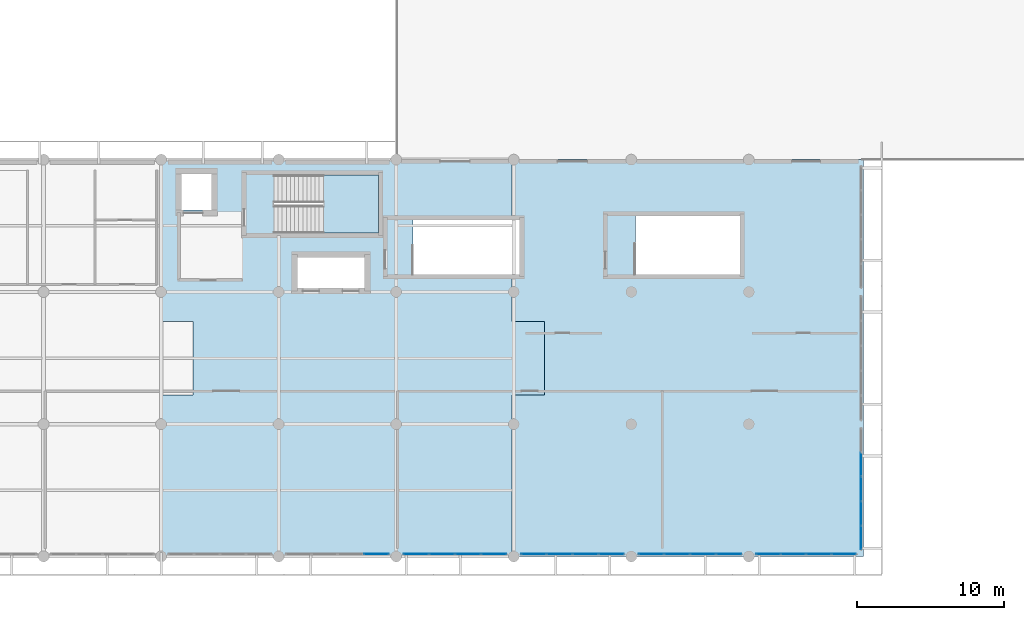
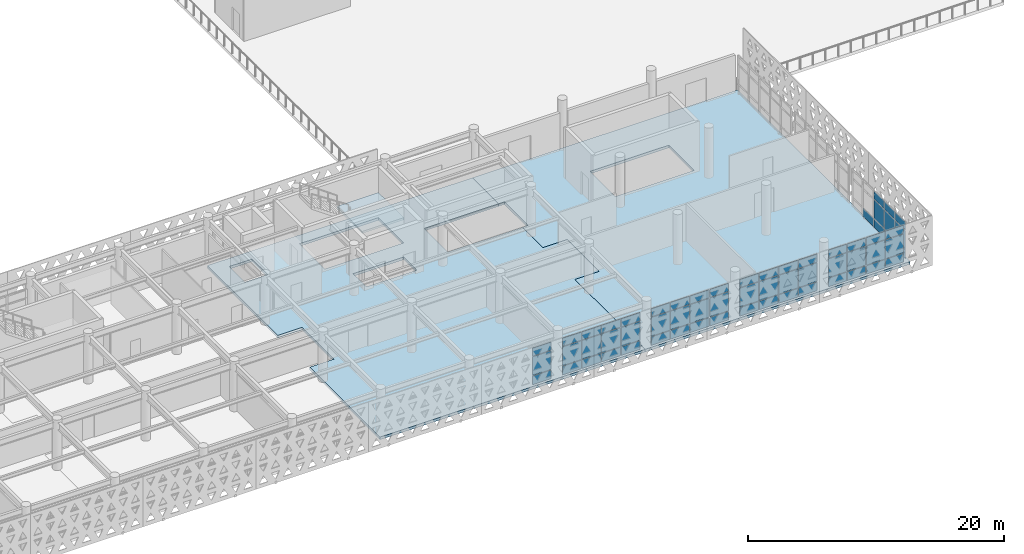
# One storey, part 19 of 33: 61 plates, 3 slabs, 7 elements without a shape of their own.
"""IFC4 building model written with IfcOpenShell, lengths in metres."""

from ifc_helpers import new_model, si_unit, direction, frame, origin, origin_2d, place, context, subcontext, project, spatial, polyline, rectangle, outline, extrude, material, layer, layer_set, type_object, element, aggregate, save


model = new_model("IFC4")

# Units and contexts
model_context = context("Model", 3, precision=1e-05, world=origin(), true_north=direction((0.0, 1.0)))
body_context = subcontext(model_context, "Body", "Model", "MODEL_VIEW")
ifc_project = project(units=[si_unit("LENGTHUNIT", "METRE"), si_unit("AREAUNIT", "SQUARE_METRE"), si_unit("VOLUMEUNIT", "CUBIC_METRE"), si_unit("PLANEANGLEUNIT", "RADIAN"), si_unit("MASSUNIT", "GRAM", prefix="KILO")], contexts=[model_context])

# Site, building, storey
site_placement = place(None, origin())
site = spatial("IfcSite", under=ifc_project, at=site_placement, CompositionType="ELEMENT")
building_placement = place(site_placement, origin())
building = spatial("IfcBuilding", under=site, at=building_placement, Name="Tlacozan Convention Centre", CompositionType="ELEMENT")
storey_placement = place(building_placement, frame((0.0, 0.0, 16.199951171875)))
storey = spatial("IfcBuildingStorey", under=building, at=storey_placement, Name="L03", CompositionType="ELEMENT", Elevation=16.199951171875)

# Curtain wall, plates
ifc_material_1 = material(Name="Dark Bronze Anodised Aluminium", Category="aluminium")
ifc_layer_1 = layer(ifc_material_1, 0.159912109375)
ifc_layer_set_1 = layer_set([ifc_layer_1], Name="Dark Bronze Anodised Aluminium")
curtain_wall_type_1 = type_object("IfcCurtainWallType", Name="Unitised Congress L03 South CW04", PredefinedType="NOTDEFINED", material=ifc_layer_set_1)
curtain_wall_1_placement = place(storey_placement, origin())
curtain_wall_1 = element("IfcCurtainWall", 1, at=curtain_wall_1_placement, inside=storey, type_object=curtain_wall_type_1, Name="L03 CW-04 Run 110", PredefinedType="NOTDEFINED")
ifc_material_2 = material(Name="Solar Control Double Low-E Argon Glazing", Category="glass")
ifc_layer_2 = layer(ifc_material_2, 0.02001953125)
ifc_layer_set_2 = layer_set([ifc_layer_2], Name="Solar Control Double Low-E Argon Glazing")
plate_type_1 = type_object("IfcPlateType", Name="Double Low-E Glazed CW Panel 20", PredefinedType="CURTAIN_PANEL", material=ifc_layer_set_2)
plate_1_placement = place(storey_placement, frame((86.646240234375, 0.159912109375, 0.06494140625), z_axis=(0.0, 0.0, 1.0), x_axis=(1.0, 0.0, 0.0)))
plate_1 = element("IfcPlate", 2, at=plate_1_placement, type_object=plate_type_1, Name="CW-04 panel 4.1", PredefinedType="CURTAIN_PANEL", context=body_context, shape_type="SweptSolid", body=[
    extrude(rectangle(XDim=1.677490234375, YDim=0.02001953125, at=origin_2d()), origin(), (0.0, 0.0, 1.0), 0.802490234375),
])
plate_2_placement = place(storey_placement, frame((86.646240234375, 0.159912109375, 0.9326171875), z_axis=(0.0, 0.0, 1.0), x_axis=(1.0, 0.0, 0.0)))
plate_2 = element("IfcPlate", 3, at=plate_2_placement, type_object=plate_type_1, Name="CW-04 panel 4.2", PredefinedType="CURTAIN_PANEL", context=body_context, shape_type="SweptSolid", body=[
    extrude(rectangle(XDim=1.677490234375, YDim=0.02001953125, at=origin_2d()), origin(), (0.0, 0.0, 1.0), 1.784912109375),
])
plate_3_placement = place(storey_placement, frame((86.646240234375, 0.159912109375, 2.782470703125), z_axis=(0.0, 0.0, 1.0), x_axis=(1.0, 0.0, 0.0)))
plate_3 = element("IfcPlate", 4, at=plate_3_placement, type_object=plate_type_1, Name="CW-04 panel 4.3", PredefinedType="CURTAIN_PANEL", context=body_context, shape_type="SweptSolid", body=[
    extrude(rectangle(XDim=1.677490234375, YDim=0.02001953125, at=origin_2d()), origin(), (0.0, 0.0, 1.0), 0.75244140625),
])
aggregate(curtain_wall_1, [plate_1, plate_2, plate_3])

curtain_wall_2_placement = place(storey_placement, origin())
curtain_wall_2 = element("IfcCurtainWall", 5, at=curtain_wall_2_placement, inside=storey, type_object=curtain_wall_type_1, Name="L03 CW-04 Run 112", PredefinedType="NOTDEFINED")
plate_4_placement = place(storey_placement, frame((97.353759765625, 0.159912109375, 0.06494140625), z_axis=(0.0, 0.0, 1.0), x_axis=(1.0, 0.0, 0.0)))
plate_4 = element("IfcPlate", 6, at=plate_4_placement, type_object=plate_type_1, Name="CW-04 panel 1.1", PredefinedType="CURTAIN_PANEL", context=body_context, shape_type="SweptSolid", body=[
    extrude(rectangle(XDim=1.677490234375, YDim=0.02001953125, at=origin_2d()), origin(), (0.0, 0.0, 1.0), 0.802490234375),
])
plate_5_placement = place(storey_placement, frame((97.353759765625, 0.159912109375, 0.9326171875), z_axis=(0.0, 0.0, 1.0), x_axis=(1.0, 0.0, 0.0)))
plate_5 = element("IfcPlate", 7, at=plate_5_placement, type_object=plate_type_1, Name="CW-04 panel 1.2", PredefinedType="CURTAIN_PANEL", context=body_context, shape_type="SweptSolid", body=[
    extrude(rectangle(XDim=1.677490234375, YDim=0.02001953125, at=origin_2d()), origin(), (0.0, 0.0, 1.0), 1.784912109375),
])
plate_6_placement = place(storey_placement, frame((97.353759765625, 0.159912109375, 2.782470703125), z_axis=(0.0, 0.0, 1.0), x_axis=(1.0, 0.0, 0.0)))
plate_6 = element("IfcPlate", 8, at=plate_6_placement, type_object=plate_type_1, Name="CW-04 panel 1.3", PredefinedType="CURTAIN_PANEL", context=body_context, shape_type="SweptSolid", body=[
    extrude(rectangle(XDim=1.677490234375, YDim=0.02001953125, at=origin_2d()), origin(), (0.0, 0.0, 1.0), 0.75244140625),
])
plate_7_placement = place(storey_placement, frame((99.112548828125, 0.159912109375, 0.06494140625), z_axis=(0.0, 0.0, 1.0), x_axis=(1.0, 0.0, 0.0)))
plate_7 = element("IfcPlate", 9, at=plate_7_placement, type_object=plate_type_1, Name="CW-04 panel 2.1", PredefinedType="CURTAIN_PANEL", context=body_context, shape_type="SweptSolid", body=[
    extrude(rectangle(XDim=1.7099609375, YDim=0.02001953125, at=origin_2d()), origin(), (0.0, 0.0, 1.0), 0.802490234375),
])
plate_8_placement = place(storey_placement, frame((99.112548828125, 0.159912109375, 0.9326171875), z_axis=(0.0, 0.0, 1.0), x_axis=(1.0, 0.0, 0.0)))
plate_8 = element("IfcPlate", 10, at=plate_8_placement, type_object=plate_type_1, Name="CW-04 panel 2.2", PredefinedType="CURTAIN_PANEL", context=body_context, shape_type="SweptSolid", body=[
    extrude(rectangle(XDim=1.7099609375, YDim=0.02001953125, at=origin_2d()), origin(), (0.0, 0.0, 1.0), 1.784912109375),
])
plate_9_placement = place(storey_placement, frame((99.112548828125, 0.159912109375, 2.782470703125), z_axis=(0.0, 0.0, 1.0), x_axis=(1.0, 0.0, 0.0)))
plate_9 = element("IfcPlate", 11, at=plate_9_placement, type_object=plate_type_1, Name="CW-04 panel 2.3", PredefinedType="CURTAIN_PANEL", context=body_context, shape_type="SweptSolid", body=[
    extrude(rectangle(XDim=1.7099609375, YDim=0.02001953125, at=origin_2d()), origin(), (0.0, 0.0, 1.0), 0.75244140625),
])
plate_10_placement = place(storey_placement, frame((100.887451171875, 0.159912109375, 0.06494140625), z_axis=(0.0, 0.0, 1.0), x_axis=(1.0, 0.0, 0.0)))
plate_10 = element("IfcPlate", 12, at=plate_10_placement, type_object=plate_type_1, Name="CW-04 panel 3.1", PredefinedType="CURTAIN_PANEL", context=body_context, shape_type="SweptSolid", body=[
    extrude(rectangle(XDim=1.7099609375, YDim=0.02001953125, at=origin_2d()), origin(), (0.0, 0.0, 1.0), 0.802490234375),
])
plate_11_placement = place(storey_placement, frame((100.887451171875, 0.159912109375, 0.9326171875), z_axis=(0.0, 0.0, 1.0), x_axis=(1.0, 0.0, 0.0)))
plate_11 = element("IfcPlate", 13, at=plate_11_placement, type_object=plate_type_1, Name="CW-04 panel 3.2", PredefinedType="CURTAIN_PANEL", context=body_context, shape_type="SweptSolid", body=[
    extrude(rectangle(XDim=1.7099609375, YDim=0.02001953125, at=origin_2d()), origin(), (0.0, 0.0, 1.0), 1.784912109375),
])
plate_12_placement = place(storey_placement, frame((100.887451171875, 0.159912109375, 2.782470703125), z_axis=(0.0, 0.0, 1.0), x_axis=(1.0, 0.0, 0.0)))
plate_12 = element("IfcPlate", 14, at=plate_12_placement, type_object=plate_type_1, Name="CW-04 panel 3.3", PredefinedType="CURTAIN_PANEL", context=body_context, shape_type="SweptSolid", body=[
    extrude(rectangle(XDim=1.7099609375, YDim=0.02001953125, at=origin_2d()), origin(), (0.0, 0.0, 1.0), 0.75244140625),
])
plate_13_placement = place(storey_placement, frame((102.646240234375, 0.159912109375, 0.06494140625), z_axis=(0.0, 0.0, 1.0), x_axis=(1.0, 0.0, 0.0)))
plate_13 = element("IfcPlate", 15, at=plate_13_placement, type_object=plate_type_1, Name="CW-04 panel 4.1", PredefinedType="CURTAIN_PANEL", context=body_context, shape_type="SweptSolid", body=[
    extrude(rectangle(XDim=1.677490234375, YDim=0.02001953125, at=origin_2d()), origin(), (0.0, 0.0, 1.0), 0.802490234375),
])
plate_14_placement = place(storey_placement, frame((102.646240234375, 0.159912109375, 0.9326171875), z_axis=(0.0, 0.0, 1.0), x_axis=(1.0, 0.0, 0.0)))
plate_14 = element("IfcPlate", 16, at=plate_14_placement, type_object=plate_type_1, Name="CW-04 panel 4.2", PredefinedType="CURTAIN_PANEL", context=body_context, shape_type="SweptSolid", body=[
    extrude(rectangle(XDim=1.677490234375, YDim=0.02001953125, at=origin_2d()), origin(), (0.0, 0.0, 1.0), 1.784912109375),
])
plate_15_placement = place(storey_placement, frame((102.646240234375, 0.159912109375, 2.782470703125), z_axis=(0.0, 0.0, 1.0), x_axis=(1.0, 0.0, 0.0)))
plate_15 = element("IfcPlate", 17, at=plate_15_placement, type_object=plate_type_1, Name="CW-04 panel 4.3", PredefinedType="CURTAIN_PANEL", context=body_context, shape_type="SweptSolid", body=[
    extrude(rectangle(XDim=1.677490234375, YDim=0.02001953125, at=origin_2d()), origin(), (0.0, 0.0, 1.0), 0.75244140625),
])
aggregate(curtain_wall_2, [plate_4, plate_5, plate_6, plate_7, plate_8, plate_9, plate_10, plate_11, plate_12, plate_13, plate_14, plate_15])

curtain_wall_3_placement = place(storey_placement, origin())
curtain_wall_3 = element("IfcCurtainWall", 18, at=curtain_wall_3_placement, inside=storey, type_object=curtain_wall_type_1, Name="L03 CW-04 Run 114", PredefinedType="NOTDEFINED")
plate_16_placement = place(storey_placement, frame((113.328857421875, 0.159912109375, 0.06494140625), z_axis=(0.0, 0.0, 1.0), x_axis=(1.0, 0.0, 0.0)))
plate_16 = element("IfcPlate", 19, at=plate_16_placement, type_object=plate_type_1, Name="CW-04 panel 1.1", PredefinedType="CURTAIN_PANEL", context=body_context, shape_type="SweptSolid", body=[
    extrude(rectangle(XDim=1.62744140625, YDim=0.02001953125, at=origin_2d()), origin(), (0.0, 0.0, 1.0), 0.802490234375),
])
plate_17_placement = place(storey_placement, frame((113.328857421875, 0.159912109375, 0.9326171875), z_axis=(0.0, 0.0, 1.0), x_axis=(1.0, 0.0, 0.0)))
plate_17 = element("IfcPlate", 20, at=plate_17_placement, type_object=plate_type_1, Name="CW-04 panel 1.2", PredefinedType="CURTAIN_PANEL", context=body_context, shape_type="SweptSolid", body=[
    extrude(rectangle(XDim=1.62744140625, YDim=0.02001953125, at=origin_2d()), origin(), (0.0, 0.0, 1.0), 1.784912109375),
])
plate_18_placement = place(storey_placement, frame((113.328857421875, 0.159912109375, 2.782470703125), z_axis=(0.0, 0.0, 1.0), x_axis=(1.0, 0.0, 0.0)))
plate_18 = element("IfcPlate", 21, at=plate_18_placement, type_object=plate_type_1, Name="CW-04 panel 1.3", PredefinedType="CURTAIN_PANEL", context=body_context, shape_type="SweptSolid", body=[
    extrude(rectangle(XDim=1.62744140625, YDim=0.02001953125, at=origin_2d()), origin(), (0.0, 0.0, 1.0), 0.75244140625),
])
plate_19_placement = place(storey_placement, frame((115.03759765625, 0.159912109375, 0.06494140625), z_axis=(0.0, 0.0, 1.0), x_axis=(1.0, 0.0, 0.0)))
plate_19 = element("IfcPlate", 22, at=plate_19_placement, type_object=plate_type_1, Name="CW-04 panel 2.1", PredefinedType="CURTAIN_PANEL", context=body_context, shape_type="SweptSolid", body=[
    extrude(rectangle(XDim=1.659912109375, YDim=0.02001953125, at=origin_2d()), origin(), (0.0, 0.0, 1.0), 0.802490234375),
])
plate_20_placement = place(storey_placement, frame((115.03759765625, 0.159912109375, 0.9326171875), z_axis=(0.0, 0.0, 1.0), x_axis=(1.0, 0.0, 0.0)))
plate_20 = element("IfcPlate", 23, at=plate_20_placement, type_object=plate_type_1, Name="CW-04 panel 2.2", PredefinedType="CURTAIN_PANEL", context=body_context, shape_type="SweptSolid", body=[
    extrude(rectangle(XDim=1.659912109375, YDim=0.02001953125, at=origin_2d()), origin(), (0.0, 0.0, 1.0), 1.784912109375),
])
plate_21_placement = place(storey_placement, frame((115.03759765625, 0.159912109375, 2.782470703125), z_axis=(0.0, 0.0, 1.0), x_axis=(1.0, 0.0, 0.0)))
plate_21 = element("IfcPlate", 24, at=plate_21_placement, type_object=plate_type_1, Name="CW-04 panel 2.3", PredefinedType="CURTAIN_PANEL", context=body_context, shape_type="SweptSolid", body=[
    extrude(rectangle(XDim=1.659912109375, YDim=0.02001953125, at=origin_2d()), origin(), (0.0, 0.0, 1.0), 0.75244140625),
])
plate_22_placement = place(storey_placement, frame((116.762451171875, 0.159912109375, 0.06494140625), z_axis=(0.0, 0.0, 1.0), x_axis=(1.0, 0.0, 0.0)))
plate_22 = element("IfcPlate", 25, at=plate_22_placement, type_object=plate_type_1, Name="CW-04 panel 3.1", PredefinedType="CURTAIN_PANEL", context=body_context, shape_type="SweptSolid", body=[
    extrude(rectangle(XDim=1.659912109375, YDim=0.02001953125, at=origin_2d()), origin(), (0.0, 0.0, 1.0), 0.802490234375),
])
plate_23_placement = place(storey_placement, frame((116.762451171875, 0.159912109375, 0.9326171875), z_axis=(0.0, 0.0, 1.0), x_axis=(1.0, 0.0, 0.0)))
plate_23 = element("IfcPlate", 26, at=plate_23_placement, type_object=plate_type_1, Name="CW-04 panel 3.2", PredefinedType="CURTAIN_PANEL", context=body_context, shape_type="SweptSolid", body=[
    extrude(rectangle(XDim=1.659912109375, YDim=0.02001953125, at=origin_2d()), origin(), (0.0, 0.0, 1.0), 1.784912109375),
])
plate_24_placement = place(storey_placement, frame((116.762451171875, 0.159912109375, 2.782470703125), z_axis=(0.0, 0.0, 1.0), x_axis=(1.0, 0.0, 0.0)))
plate_24 = element("IfcPlate", 27, at=plate_24_placement, type_object=plate_type_1, Name="CW-04 panel 3.3", PredefinedType="CURTAIN_PANEL", context=body_context, shape_type="SweptSolid", body=[
    extrude(rectangle(XDim=1.659912109375, YDim=0.02001953125, at=origin_2d()), origin(), (0.0, 0.0, 1.0), 0.75244140625),
])
plate_25_placement = place(storey_placement, frame((118.47119140625, 0.159912109375, 0.06494140625), z_axis=(0.0, 0.0, 1.0), x_axis=(1.0, 0.0, 0.0)))
plate_25 = element("IfcPlate", 28, at=plate_25_placement, type_object=plate_type_1, Name="CW-04 panel 4.1", PredefinedType="CURTAIN_PANEL", context=body_context, shape_type="SweptSolid", body=[
    extrude(rectangle(XDim=1.62744140625, YDim=0.02001953125, at=origin_2d()), origin(), (0.0, 0.0, 1.0), 0.802490234375),
])
plate_26_placement = place(storey_placement, frame((118.47119140625, 0.159912109375, 0.9326171875), z_axis=(0.0, 0.0, 1.0), x_axis=(1.0, 0.0, 0.0)))
plate_26 = element("IfcPlate", 29, at=plate_26_placement, type_object=plate_type_1, Name="CW-04 panel 4.2", PredefinedType="CURTAIN_PANEL", context=body_context, shape_type="SweptSolid", body=[
    extrude(rectangle(XDim=1.62744140625, YDim=0.02001953125, at=origin_2d()), origin(), (0.0, 0.0, 1.0), 1.784912109375),
])
plate_27_placement = place(storey_placement, frame((118.47119140625, 0.159912109375, 2.782470703125), z_axis=(0.0, 0.0, 1.0), x_axis=(1.0, 0.0, 0.0)))
plate_27 = element("IfcPlate", 30, at=plate_27_placement, type_object=plate_type_1, Name="CW-04 panel 4.3", PredefinedType="CURTAIN_PANEL", context=body_context, shape_type="SweptSolid", body=[
    extrude(rectangle(XDim=1.62744140625, YDim=0.02001953125, at=origin_2d()), origin(), (0.0, 0.0, 1.0), 0.75244140625),
])
aggregate(curtain_wall_3, [plate_16, plate_17, plate_18, plate_19, plate_20, plate_21, plate_22, plate_23, plate_24, plate_25, plate_26, plate_27])

ifc_layer_3 = layer(ifc_material_1, 0.159912109375)
ifc_layer_set_3 = layer_set([ifc_layer_3], Name="Dark Bronze Anodised Aluminium")
curtain_wall_type_2 = type_object("IfcCurtainWallType", Name="Unitised Congress Gable End CW06", PredefinedType="NOTDEFINED", material=ifc_layer_set_3)
curtain_wall_4_placement = place(storey_placement, origin())
curtain_wall_4 = element("IfcCurtainWall", 31, at=curtain_wall_4_placement, inside=storey, type_object=curtain_wall_type_2, Name="L03 CW-06 Run 119", PredefinedType="NOTDEFINED")
plate_28_placement = place(storey_placement, frame((119.639892578125, 1.259033203125, 0.06005859375), z_axis=(0.0, 0.0, 1.0), x_axis=(0.0, 1.0, 0.0)))
plate_28 = element("IfcPlate", 32, at=plate_28_placement, type_object=plate_type_1, Name="CW-06 panel 1.1", PredefinedType="CURTAIN_PANEL", context=body_context, shape_type="SweptSolid", body=[
    extrude(rectangle(XDim=1.577880859375, YDim=0.02001953125, at=origin_2d()), origin(), (0.0, 0.0, 1.0), 0.81005859375),
])
plate_29_placement = place(storey_placement, frame((119.639892578125, 1.259033203125, 0.929931640625), z_axis=(0.0, 0.0, 1.0), x_axis=(0.0, 1.0, 0.0)))
plate_29 = element("IfcPlate", 33, at=plate_29_placement, type_object=plate_type_1, Name="CW-06 panel 1.2", PredefinedType="CURTAIN_PANEL", context=body_context, shape_type="SweptSolid", body=[
    extrude(rectangle(XDim=1.577880859375, YDim=0.02001953125, at=origin_2d()), origin(), (0.0, 0.0, 1.0), 1.7900390625),
])
plate_30_placement = place(storey_placement, frame((119.639892578125, 1.259033203125, 2.7802734375), z_axis=(0.0, 0.0, 1.0), x_axis=(0.0, 1.0, 0.0)))
plate_30 = element("IfcPlate", 34, at=plate_30_placement, type_object=plate_type_1, Name="CW-06 panel 1.3", PredefinedType="CURTAIN_PANEL", context=body_context, shape_type="SweptSolid", body=[
    extrude(rectangle(XDim=1.577880859375, YDim=0.02001953125, at=origin_2d()), origin(), (0.0, 0.0, 1.0), 0.760009765625),
])
plate_31_placement = place(storey_placement, frame((119.639892578125, 2.912109375, 0.06005859375), z_axis=(0.0, 0.0, 1.0), x_axis=(0.0, 1.0, 0.0)))
plate_31 = element("IfcPlate", 35, at=plate_31_placement, type_object=plate_type_1, Name="CW-06 panel 2.1", PredefinedType="CURTAIN_PANEL", context=body_context, shape_type="SweptSolid", body=[
    extrude(rectangle(XDim=1.60791015625, YDim=0.02001953125, at=origin_2d()), origin(), (0.0, 0.0, 1.0), 0.81005859375),
])
plate_32_placement = place(storey_placement, frame((119.639892578125, 2.912109375, 0.929931640625), z_axis=(0.0, 0.0, 1.0), x_axis=(0.0, 1.0, 0.0)))
plate_32 = element("IfcPlate", 36, at=plate_32_placement, type_object=plate_type_1, Name="CW-06 panel 2.2", PredefinedType="CURTAIN_PANEL", context=body_context, shape_type="SweptSolid", body=[
    extrude(rectangle(XDim=1.60791015625, YDim=0.02001953125, at=origin_2d()), origin(), (0.0, 0.0, 1.0), 1.7900390625),
])
plate_33_placement = place(storey_placement, frame((119.639892578125, 2.912109375, 2.7802734375), z_axis=(0.0, 0.0, 1.0), x_axis=(0.0, 1.0, 0.0)))
plate_33 = element("IfcPlate", 37, at=plate_33_placement, type_object=plate_type_1, Name="CW-06 panel 2.3", PredefinedType="CURTAIN_PANEL", context=body_context, shape_type="SweptSolid", body=[
    extrude(rectangle(XDim=1.60791015625, YDim=0.02001953125, at=origin_2d()), origin(), (0.0, 0.0, 1.0), 0.760009765625),
])
plate_34_placement = place(storey_placement, frame((119.639892578125, 4.580078125, 0.06005859375), z_axis=(0.0, 0.0, 1.0), x_axis=(0.0, 1.0, 0.0)))
plate_34 = element("IfcPlate", 38, at=plate_34_placement, type_object=plate_type_1, Name="CW-06 panel 3.1", PredefinedType="CURTAIN_PANEL", context=body_context, shape_type="SweptSolid", body=[
    extrude(rectangle(XDim=1.60791015625, YDim=0.02001953125, at=origin_2d()), origin(), (0.0, 0.0, 1.0), 0.81005859375),
])
plate_35_placement = place(storey_placement, frame((119.639892578125, 4.580078125, 0.929931640625), z_axis=(0.0, 0.0, 1.0), x_axis=(0.0, 1.0, 0.0)))
plate_35 = element("IfcPlate", 39, at=plate_35_placement, type_object=plate_type_1, Name="CW-06 panel 3.2", PredefinedType="CURTAIN_PANEL", context=body_context, shape_type="SweptSolid", body=[
    extrude(rectangle(XDim=1.60791015625, YDim=0.02001953125, at=origin_2d()), origin(), (0.0, 0.0, 1.0), 1.7900390625),
])
plate_36_placement = place(storey_placement, frame((119.639892578125, 4.580078125, 2.7802734375), z_axis=(0.0, 0.0, 1.0), x_axis=(0.0, 1.0, 0.0)))
plate_36 = element("IfcPlate", 40, at=plate_36_placement, type_object=plate_type_1, Name="CW-06 panel 3.3", PredefinedType="CURTAIN_PANEL", context=body_context, shape_type="SweptSolid", body=[
    extrude(rectangle(XDim=1.60791015625, YDim=0.02001953125, at=origin_2d()), origin(), (0.0, 0.0, 1.0), 0.760009765625),
])
plate_37_placement = place(storey_placement, frame((119.639892578125, 6.248046875, 0.06005859375), z_axis=(0.0, 0.0, 1.0), x_axis=(0.0, 1.0, 0.0)))
plate_37 = element("IfcPlate", 41, at=plate_37_placement, type_object=plate_type_1, Name="CW-06 panel 4.1", PredefinedType="CURTAIN_PANEL", context=body_context, shape_type="SweptSolid", body=[
    extrude(rectangle(XDim=1.60791015625, YDim=0.02001953125, at=origin_2d()), origin(), (0.0, 0.0, 1.0), 0.81005859375),
])
aggregate(curtain_wall_4, [plate_28, plate_29, plate_30, plate_31, plate_32, plate_33, plate_34, plate_35, plate_36, plate_37])

# Slabs
ifc_material_3 = material(Name="Concrete C40/50", Category="concrete")
ifc_layer_4 = layer(ifc_material_3, 0.25)
ifc_layer_set_4 = layer_set([ifc_layer_4], Name="Concrete C40/50")
slab_type_1 = type_object("IfcSlabType", Name="Executive Congress Floor Slab 250", PredefinedType="FLOOR", material=ifc_layer_set_4)
slab_1_placement = place(storey_placement, frame((0.0, 0.0, -0.25)))
element("IfcSlab", 42, at=slab_1_placement, inside=storey, type_object=slab_type_1, Name="L03 Executive Congress Floor Slab 250 81", PredefinedType="FLOOR", context=body_context, shape_type="SweptSolid", body=[
    extrude(outline(polyline([(71.9599609375, 11.0), (74.159912109375, 11.0), (74.159912109375, 16.0), (71.9599609375, 16.0), (71.9599609375, 27.0), (95.8798828125, 27.0), (95.8798828125, 22.89990234375), (89.14990234375, 22.89990234375), (89.14990234375, 19.199951171875), (95.8798828125, 19.199951171875), (95.8798828125, 16.0), (98.080078125, 16.0), (98.080078125, 11.0), (95.8798828125, 11.0), (95.8798828125, 0.0), (71.9599609375, 0.0), (71.9599609375, 11.0)]), holes=[polyline([(75.419921875, 26.02001953125), (73.3798828125, 26.02001953125), (73.3798828125, 23.580078125), (75.419921875, 23.580078125), (75.419921875, 26.02001953125)]), polyline([(85.830078125, 20.330078125), (81.27001953125, 20.330078125), (81.27001953125, 18.27001953125), (85.830078125, 18.27001953125), (85.830078125, 20.330078125)]), polyline([(86.800048828125, 22.0), (86.800048828125, 25.9599609375), (79.679931640625, 25.9599609375), (79.679931640625, 22.0), (86.800048828125, 22.0)])]), origin(), (0.0, 0.0, 1.0), 0.25),
])
slab_2_placement = place(storey_placement, frame((0.0, 0.0, -0.25)))
element("IfcSlab", 43, at=slab_2_placement, inside=storey, type_object=slab_type_1, Name="L03 Executive Congress Floor Slab 250 82", PredefinedType="FLOOR", context=body_context, shape_type="SweptSolid", body=[
    extrude(outline(polyline([(119.800048828125, 27.0), (119.800048828125, 0.0), (95.8798828125, 0.0), (95.8798828125, 11.0), (98.080078125, 11.0), (98.080078125, 16.0), (95.8798828125, 16.0), (95.8798828125, 19.199951171875), (96.39990234375, 19.199951171875), (96.39990234375, 22.89990234375), (95.8798828125, 22.89990234375), (95.8798828125, 27.0), (119.800048828125, 27.0)]), holes=[polyline([(111.39990234375, 19.199951171875), (111.39990234375, 23.159912109375), (104.280029296875, 23.159912109375), (104.280029296875, 19.199951171875), (111.39990234375, 19.199951171875)])]), origin(), (0.0, 0.0, 1.0), 0.25),
])

# Curtain wall, plates
curtain_wall_5_placement = place(storey_placement, origin())
curtain_wall_5 = element("IfcCurtainWall", 44, at=curtain_wall_5_placement, inside=storey, type_object=curtain_wall_type_1, Name="L03 CW-04 Run 111", PredefinedType="NOTDEFINED")
ifc_layer_5 = layer(ifc_material_2, 0.0400390625)
ifc_layer_set_5 = layer_set([ifc_layer_5], Name="Solar Control Double Low-E Argon Glazing")
plate_type_2 = type_object("IfcPlateType", Name="Insulated Spandrel CW Panel 40", PredefinedType="CURTAIN_PANEL", material=ifc_layer_set_5)
plate_38_placement = place(storey_placement, frame((89.353759765625, 0.159912109375, 0.06494140625), z_axis=(0.0, 0.0, 1.0), x_axis=(1.0, 0.0, 0.0)))
plate_38 = element("IfcPlate", 45, at=plate_38_placement, type_object=plate_type_2, Name="CW-04 panel 1.1", PredefinedType="CURTAIN_PANEL", context=body_context, shape_type="SweptSolid", body=[
    extrude(rectangle(XDim=1.677490234375, YDim=0.0400390625, at=origin_2d()), origin(), (0.0, 0.0, 1.0), 0.802490234375),
])
plate_39_placement = place(storey_placement, frame((89.353759765625, 0.159912109375, 0.9326171875), z_axis=(0.0, 0.0, 1.0), x_axis=(1.0, 0.0, 0.0)))
plate_39 = element("IfcPlate", 46, at=plate_39_placement, type_object=plate_type_2, Name="CW-04 panel 1.2", PredefinedType="CURTAIN_PANEL", context=body_context, shape_type="SweptSolid", body=[
    extrude(rectangle(XDim=1.677490234375, YDim=0.0400390625, at=origin_2d()), origin(), (0.0, 0.0, 1.0), 1.784912109375),
])
plate_40_placement = place(storey_placement, frame((89.353759765625, 0.159912109375, 2.782470703125), z_axis=(0.0, 0.0, 1.0), x_axis=(1.0, 0.0, 0.0)))
plate_40 = element("IfcPlate", 47, at=plate_40_placement, type_object=plate_type_2, Name="CW-04 panel 1.3", PredefinedType="CURTAIN_PANEL", context=body_context, shape_type="SweptSolid", body=[
    extrude(rectangle(XDim=1.677490234375, YDim=0.0400390625, at=origin_2d()), origin(), (0.0, 0.0, 1.0), 0.75244140625),
])
plate_41_placement = place(storey_placement, frame((91.112548828125, 0.159912109375, 0.06494140625), z_axis=(0.0, 0.0, 1.0), x_axis=(1.0, 0.0, 0.0)))
plate_41 = element("IfcPlate", 48, at=plate_41_placement, type_object=plate_type_2, Name="CW-04 panel 2.1", PredefinedType="CURTAIN_PANEL", context=body_context, shape_type="SweptSolid", body=[
    extrude(rectangle(XDim=1.7099609375, YDim=0.0400390625, at=origin_2d()), origin(), (0.0, 0.0, 1.0), 0.802490234375),
])
plate_42_placement = place(storey_placement, frame((91.112548828125, 0.159912109375, 0.9326171875), z_axis=(0.0, 0.0, 1.0), x_axis=(1.0, 0.0, 0.0)))
plate_42 = element("IfcPlate", 49, at=plate_42_placement, type_object=plate_type_2, Name="CW-04 panel 2.2", PredefinedType="CURTAIN_PANEL", context=body_context, shape_type="SweptSolid", body=[
    extrude(rectangle(XDim=1.7099609375, YDim=0.0400390625, at=origin_2d()), origin(), (0.0, 0.0, 1.0), 1.784912109375),
])
plate_43_placement = place(storey_placement, frame((91.112548828125, 0.159912109375, 2.782470703125), z_axis=(0.0, 0.0, 1.0), x_axis=(1.0, 0.0, 0.0)))
plate_43 = element("IfcPlate", 50, at=plate_43_placement, type_object=plate_type_2, Name="CW-04 panel 2.3", PredefinedType="CURTAIN_PANEL", context=body_context, shape_type="SweptSolid", body=[
    extrude(rectangle(XDim=1.7099609375, YDim=0.0400390625, at=origin_2d()), origin(), (0.0, 0.0, 1.0), 0.75244140625),
])
plate_44_placement = place(storey_placement, frame((92.887451171875, 0.159912109375, 0.06494140625), z_axis=(0.0, 0.0, 1.0), x_axis=(1.0, 0.0, 0.0)))
plate_44 = element("IfcPlate", 51, at=plate_44_placement, type_object=plate_type_2, Name="CW-04 panel 3.1", PredefinedType="CURTAIN_PANEL", context=body_context, shape_type="SweptSolid", body=[
    extrude(rectangle(XDim=1.7099609375, YDim=0.0400390625, at=origin_2d()), origin(), (0.0, 0.0, 1.0), 0.802490234375),
])
plate_45_placement = place(storey_placement, frame((92.887451171875, 0.159912109375, 0.9326171875), z_axis=(0.0, 0.0, 1.0), x_axis=(1.0, 0.0, 0.0)))
plate_45 = element("IfcPlate", 52, at=plate_45_placement, type_object=plate_type_2, Name="CW-04 panel 3.2", PredefinedType="CURTAIN_PANEL", context=body_context, shape_type="SweptSolid", body=[
    extrude(rectangle(XDim=1.7099609375, YDim=0.0400390625, at=origin_2d()), origin(), (0.0, 0.0, 1.0), 1.784912109375),
])
plate_46_placement = place(storey_placement, frame((92.887451171875, 0.159912109375, 2.782470703125), z_axis=(0.0, 0.0, 1.0), x_axis=(1.0, 0.0, 0.0)))
plate_46 = element("IfcPlate", 53, at=plate_46_placement, type_object=plate_type_2, Name="CW-04 panel 3.3", PredefinedType="CURTAIN_PANEL", context=body_context, shape_type="SweptSolid", body=[
    extrude(rectangle(XDim=1.7099609375, YDim=0.0400390625, at=origin_2d()), origin(), (0.0, 0.0, 1.0), 0.75244140625),
])
plate_47_placement = place(storey_placement, frame((94.646240234375, 0.159912109375, 0.06494140625), z_axis=(0.0, 0.0, 1.0), x_axis=(1.0, 0.0, 0.0)))
plate_47 = element("IfcPlate", 54, at=plate_47_placement, type_object=plate_type_2, Name="CW-04 panel 4.1", PredefinedType="CURTAIN_PANEL", context=body_context, shape_type="SweptSolid", body=[
    extrude(rectangle(XDim=1.677490234375, YDim=0.0400390625, at=origin_2d()), origin(), (0.0, 0.0, 1.0), 0.802490234375),
])
plate_48_placement = place(storey_placement, frame((94.646240234375, 0.159912109375, 0.9326171875), z_axis=(0.0, 0.0, 1.0), x_axis=(1.0, 0.0, 0.0)))
plate_48 = element("IfcPlate", 55, at=plate_48_placement, type_object=plate_type_2, Name="CW-04 panel 4.2", PredefinedType="CURTAIN_PANEL", context=body_context, shape_type="SweptSolid", body=[
    extrude(rectangle(XDim=1.677490234375, YDim=0.0400390625, at=origin_2d()), origin(), (0.0, 0.0, 1.0), 1.784912109375),
])
plate_49_placement = place(storey_placement, frame((94.646240234375, 0.159912109375, 2.782470703125), z_axis=(0.0, 0.0, 1.0), x_axis=(1.0, 0.0, 0.0)))
plate_49 = element("IfcPlate", 56, at=plate_49_placement, type_object=plate_type_2, Name="CW-04 panel 4.3", PredefinedType="CURTAIN_PANEL", context=body_context, shape_type="SweptSolid", body=[
    extrude(rectangle(XDim=1.677490234375, YDim=0.0400390625, at=origin_2d()), origin(), (0.0, 0.0, 1.0), 0.75244140625),
])
aggregate(curtain_wall_5, [plate_38, plate_39, plate_40, plate_41, plate_42, plate_43, plate_44, plate_45, plate_46, plate_47, plate_48, plate_49])

curtain_wall_6_placement = place(storey_placement, origin())
curtain_wall_6 = element("IfcCurtainWall", 57, at=curtain_wall_6_placement, inside=storey, type_object=curtain_wall_type_1, Name="L03 CW-04 Run 113", PredefinedType="NOTDEFINED")
plate_50_placement = place(storey_placement, frame((105.353759765625, 0.159912109375, 0.06494140625), z_axis=(0.0, 0.0, 1.0), x_axis=(1.0, 0.0, 0.0)))
plate_50 = element("IfcPlate", 58, at=plate_50_placement, type_object=plate_type_2, Name="CW-04 panel 1.1", PredefinedType="CURTAIN_PANEL", context=body_context, shape_type="SweptSolid", body=[
    extrude(rectangle(XDim=1.677490234375, YDim=0.0400390625, at=origin_2d()), origin(), (0.0, 0.0, 1.0), 0.802490234375),
])
plate_51_placement = place(storey_placement, frame((105.353759765625, 0.159912109375, 0.9326171875), z_axis=(0.0, 0.0, 1.0), x_axis=(1.0, 0.0, 0.0)))
plate_51 = element("IfcPlate", 59, at=plate_51_placement, type_object=plate_type_2, Name="CW-04 panel 1.2", PredefinedType="CURTAIN_PANEL", context=body_context, shape_type="SweptSolid", body=[
    extrude(rectangle(XDim=1.677490234375, YDim=0.0400390625, at=origin_2d()), origin(), (0.0, 0.0, 1.0), 1.784912109375),
])
plate_52_placement = place(storey_placement, frame((105.353759765625, 0.159912109375, 2.782470703125), z_axis=(0.0, 0.0, 1.0), x_axis=(1.0, 0.0, 0.0)))
plate_52 = element("IfcPlate", 60, at=plate_52_placement, type_object=plate_type_2, Name="CW-04 panel 1.3", PredefinedType="CURTAIN_PANEL", context=body_context, shape_type="SweptSolid", body=[
    extrude(rectangle(XDim=1.677490234375, YDim=0.0400390625, at=origin_2d()), origin(), (0.0, 0.0, 1.0), 0.75244140625),
])
plate_53_placement = place(storey_placement, frame((107.112548828125, 0.159912109375, 0.06494140625), z_axis=(0.0, 0.0, 1.0), x_axis=(1.0, 0.0, 0.0)))
plate_53 = element("IfcPlate", 61, at=plate_53_placement, type_object=plate_type_2, Name="CW-04 panel 2.1", PredefinedType="CURTAIN_PANEL", context=body_context, shape_type="SweptSolid", body=[
    extrude(rectangle(XDim=1.7099609375, YDim=0.0400390625, at=origin_2d()), origin(), (0.0, 0.0, 1.0), 0.802490234375),
])
plate_54_placement = place(storey_placement, frame((107.112548828125, 0.159912109375, 0.9326171875), z_axis=(0.0, 0.0, 1.0), x_axis=(1.0, 0.0, 0.0)))
plate_54 = element("IfcPlate", 62, at=plate_54_placement, type_object=plate_type_2, Name="CW-04 panel 2.2", PredefinedType="CURTAIN_PANEL", context=body_context, shape_type="SweptSolid", body=[
    extrude(rectangle(XDim=1.7099609375, YDim=0.0400390625, at=origin_2d()), origin(), (0.0, 0.0, 1.0), 1.784912109375),
])
plate_55_placement = place(storey_placement, frame((107.112548828125, 0.159912109375, 2.782470703125), z_axis=(0.0, 0.0, 1.0), x_axis=(1.0, 0.0, 0.0)))
plate_55 = element("IfcPlate", 63, at=plate_55_placement, type_object=plate_type_2, Name="CW-04 panel 2.3", PredefinedType="CURTAIN_PANEL", context=body_context, shape_type="SweptSolid", body=[
    extrude(rectangle(XDim=1.7099609375, YDim=0.0400390625, at=origin_2d()), origin(), (0.0, 0.0, 1.0), 0.75244140625),
])
plate_56_placement = place(storey_placement, frame((108.887451171875, 0.159912109375, 0.06494140625), z_axis=(0.0, 0.0, 1.0), x_axis=(1.0, 0.0, 0.0)))
plate_56 = element("IfcPlate", 64, at=plate_56_placement, type_object=plate_type_2, Name="CW-04 panel 3.1", PredefinedType="CURTAIN_PANEL", context=body_context, shape_type="SweptSolid", body=[
    extrude(rectangle(XDim=1.7099609375, YDim=0.0400390625, at=origin_2d()), origin(), (0.0, 0.0, 1.0), 0.802490234375),
])
plate_57_placement = place(storey_placement, frame((108.887451171875, 0.159912109375, 0.9326171875), z_axis=(0.0, 0.0, 1.0), x_axis=(1.0, 0.0, 0.0)))
plate_57 = element("IfcPlate", 65, at=plate_57_placement, type_object=plate_type_2, Name="CW-04 panel 3.2", PredefinedType="CURTAIN_PANEL", context=body_context, shape_type="SweptSolid", body=[
    extrude(rectangle(XDim=1.7099609375, YDim=0.0400390625, at=origin_2d()), origin(), (0.0, 0.0, 1.0), 1.784912109375),
])
plate_58_placement = place(storey_placement, frame((108.887451171875, 0.159912109375, 2.782470703125), z_axis=(0.0, 0.0, 1.0), x_axis=(1.0, 0.0, 0.0)))
plate_58 = element("IfcPlate", 66, at=plate_58_placement, type_object=plate_type_2, Name="CW-04 panel 3.3", PredefinedType="CURTAIN_PANEL", context=body_context, shape_type="SweptSolid", body=[
    extrude(rectangle(XDim=1.7099609375, YDim=0.0400390625, at=origin_2d()), origin(), (0.0, 0.0, 1.0), 0.75244140625),
])
plate_59_placement = place(storey_placement, frame((110.646240234375, 0.159912109375, 0.06494140625), z_axis=(0.0, 0.0, 1.0), x_axis=(1.0, 0.0, 0.0)))
plate_59 = element("IfcPlate", 67, at=plate_59_placement, type_object=plate_type_2, Name="CW-04 panel 4.1", PredefinedType="CURTAIN_PANEL", context=body_context, shape_type="SweptSolid", body=[
    extrude(rectangle(XDim=1.677490234375, YDim=0.0400390625, at=origin_2d()), origin(), (0.0, 0.0, 1.0), 0.802490234375),
])
plate_60_placement = place(storey_placement, frame((110.646240234375, 0.159912109375, 0.9326171875), z_axis=(0.0, 0.0, 1.0), x_axis=(1.0, 0.0, 0.0)))
plate_60 = element("IfcPlate", 68, at=plate_60_placement, type_object=plate_type_2, Name="CW-04 panel 4.2", PredefinedType="CURTAIN_PANEL", context=body_context, shape_type="SweptSolid", body=[
    extrude(rectangle(XDim=1.677490234375, YDim=0.0400390625, at=origin_2d()), origin(), (0.0, 0.0, 1.0), 1.784912109375),
])
plate_61_placement = place(storey_placement, frame((110.646240234375, 0.159912109375, 2.782470703125), z_axis=(0.0, 0.0, 1.0), x_axis=(1.0, 0.0, 0.0)))
plate_61 = element("IfcPlate", 69, at=plate_61_placement, type_object=plate_type_2, Name="CW-04 panel 4.3", PredefinedType="CURTAIN_PANEL", context=body_context, shape_type="SweptSolid", body=[
    extrude(rectangle(XDim=1.677490234375, YDim=0.0400390625, at=origin_2d()), origin(), (0.0, 0.0, 1.0), 0.75244140625),
])
aggregate(curtain_wall_6, [plate_50, plate_51, plate_52, plate_53, plate_54, plate_55, plate_56, plate_57, plate_58, plate_59, plate_60, plate_61])

# Stair, slab
stair_type = type_object("IfcStairType", Name="Protected Dogleg Stair W188 H48", PredefinedType="HALF_TURN_STAIR", material=ifc_material_3)
stair_placement = place(storey_placement, origin())
stair = element("IfcStair", 70, at=stair_placement, inside=storey, type_object=stair_type, Name="L03 East Congress Core Stair ST-02", PredefinedType="HALF_TURN_STAIR")
ifc_layer_6 = layer(ifc_material_3, 0.199951171875)
ifc_layer_set_6 = layer_set([ifc_layer_6], Name="Concrete C40/50")
slab_type_2 = type_object("IfcSlabType", Name="Stair Half Landing Slab 200", PredefinedType="LANDING", material=ifc_layer_set_6)
slab_3_placement = place(storey_placement, frame((0.0, 0.0, 2.199951171875)))
slab_3 = element("IfcSlab", 71, at=slab_3_placement, type_object=slab_type_2, Name="ST-02 landing 1", PredefinedType="LANDING", context=body_context, shape_type="SweptSolid", body=[
    extrude(outline(polyline([(83.0400390625, 22.0), (86.800048828125, 22.0), (86.800048828125, 25.9599609375), (83.0400390625, 25.9599609375), (83.0400390625, 22.0)])), origin(), (0.0, 0.0, 1.0), 0.2001953125),
])
aggregate(stair, [slab_3])

save(model, "model.ifc")
